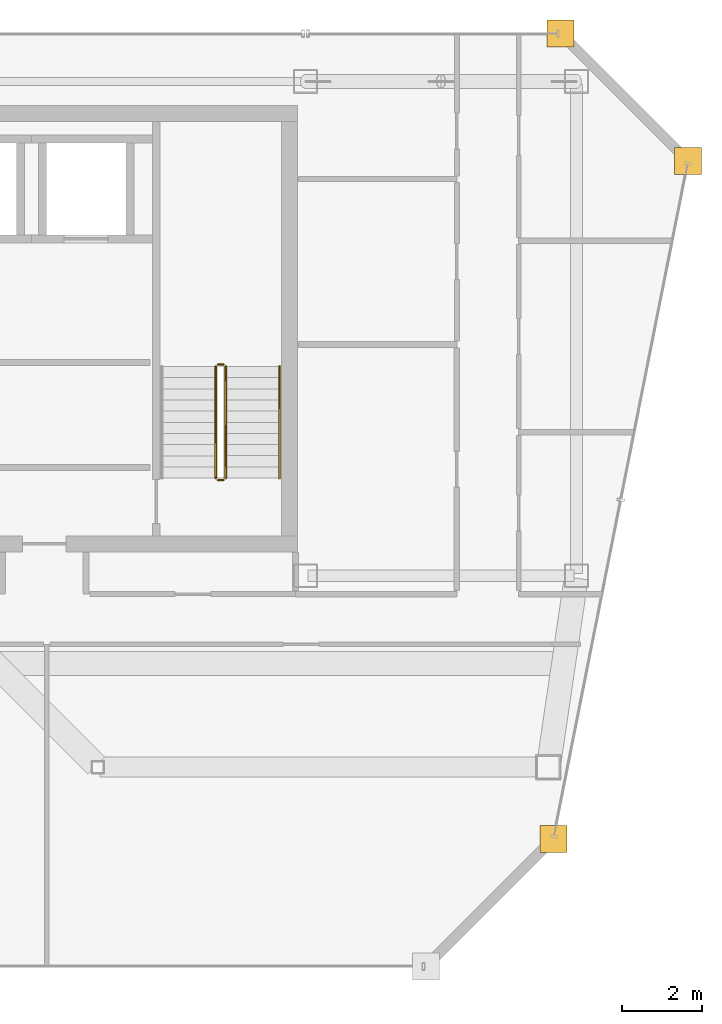
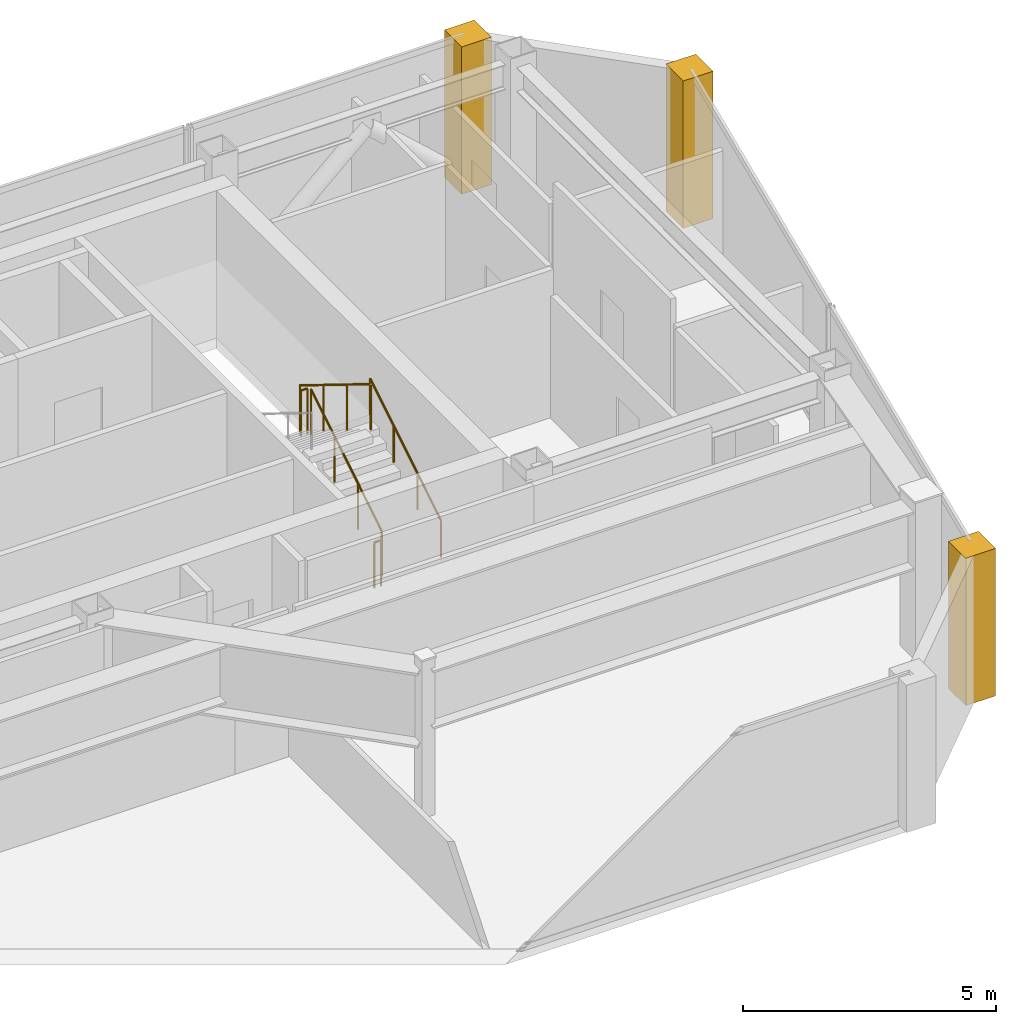
# One storey, part 24 of 24: 5 railings, 3 coverings.
"""IFC4 building model written with IfcOpenShell, lengths in metres."""

import ifcopenshell
import ifcopenshell.guid

model = None  # the IFC model being written
_history = None  # IfcOwnerHistory: only IFC2X3 demands one
_inside = {}  # id of a spatial element -> (the spatial element, [elements in it])
_under = {}  # id of a project, library or spatial element -> (it, [spatial elements below it])
_declared = {}  # id of a project -> (the project, [libraries it declares])
_typed = {}  # id of a type object -> (the type object, [elements of that type])
_made_of = {}  # id of a material, layer set ... -> (it, [elements and type objects made of it])


def new_model(schema):
    """Start an empty IFC model of exactly this schema.

    Asked for "IFC4X3", IfcOpenShell would pick the latest addendum, in which some entities
    have other attributes; the version numbers below select the first issue.
    IFC2X3 requires an IfcOwnerHistory on every rooted entity: one is made here for all.
    """
    global model, _history
    if schema == "IFC4X3":
        model = ifcopenshell.file(schema_version=(4, 3, 0, 0))
    else:
        model = ifcopenshell.file(schema=schema)
    _inside.clear()
    _under.clear()
    _declared.clear()
    _typed.clear()
    _made_of.clear()
    _history = None
    if model.schema == "IFC2X3":
        org = make("IfcOrganization", Name="unknown")
        user = make(
            "IfcPersonAndOrganization",
            ThePerson=make("IfcPerson", FamilyName="unknown"),
            TheOrganization=org,
        )
        app = make(
            "IfcApplication",
            ApplicationDeveloper=org,
            Version="unknown",
            ApplicationFullName="unknown",
            ApplicationIdentifier="unknown",
        )
        _history = make(
            "IfcOwnerHistory",
            OwningUser=user,
            OwningApplication=app,
            ChangeAction="ADDED",
            CreationDate=0,
        )
    return model


def make(cls, **values):
    """One entity of the class cls with the attributes given. An attribute that is None is left unset."""
    return model.create_entity(
        cls, **{name: value for name, value in values.items() if value is not None}
    )


def rooted(cls, **values):
    """An entity with a GlobalId (a new one), such as an element, a storey or a relation."""
    return make(cls, GlobalId=ifcopenshell.guid.new(), OwnerHistory=_history, **values)


def si_unit(unit_type, name, prefix=None):
    """IfcSIUnit, for example si_unit("LENGTHUNIT", "METRE", prefix="MILLI")."""
    return make("IfcSIUnit", UnitType=unit_type, Prefix=prefix, Name=name)


def assignment(units):
    """IfcUnitAssignment: the units of a project."""
    return None if units is None else make("IfcUnitAssignment", Units=units)


def point(xyz):
    """IfcCartesianPoint."""
    return None if xyz is None else make("IfcCartesianPoint", Coordinates=xyz)


def direction(xyz):
    """IfcDirection."""
    return None if xyz is None else make("IfcDirection", DirectionRatios=xyz)


def frame(location, z_axis=None, x_axis=None):
    """IfcAxis2Placement3D, a coordinate frame: its origin and axes. An axis left out is left unset."""
    return make(
        "IfcAxis2Placement3D",
        Location=point(location),
        Axis=direction(z_axis),
        RefDirection=direction(x_axis),
    )


def frame_2d(location, x_axis=None):
    """IfcAxis2Placement2D, a coordinate frame in the plane: its origin and x axis."""
    return make(
        "IfcAxis2Placement2D", Location=point(location), RefDirection=direction(x_axis)
    )


def origin():
    """The frame at (0, 0, 0) with its axes left unset."""
    return frame((0.0, 0.0, 0.0))


def origin_2d():
    """The frame at (0, 0) in the plane with its x axis left unset."""
    return frame_2d((0.0, 0.0))


def place(relative_to, where):
    """IfcLocalPlacement: puts the frame where relative to a parent placement (None: the world)."""
    return make(
        "IfcLocalPlacement", PlacementRelTo=relative_to, RelativePlacement=where
    )


def context(
    kind, dimensions, precision=None, world=None, true_north=None, identifier=None
):
    """IfcGeometricRepresentationContext, for example the 3D "Model" context."""
    return make(
        "IfcGeometricRepresentationContext",
        ContextIdentifier=identifier,
        ContextType=kind,
        CoordinateSpaceDimension=dimensions,
        Precision=precision,
        WorldCoordinateSystem=world,
        TrueNorth=true_north,
    )


def subcontext(parent, identifier, kind, view, scale=None):
    """IfcGeometricRepresentationSubContext, for example "Body" below "Model"."""
    return make(
        "IfcGeometricRepresentationSubContext",
        ContextIdentifier=identifier,
        ContextType=kind,
        ParentContext=parent,
        TargetScale=scale,
        TargetView=view,
    )


def project(units=None, contexts=None):
    """IfcProject with its units and contexts."""
    return rooted(
        "IfcProject",
        Name="project",
        RepresentationContexts=contexts,
        UnitsInContext=assignment(units),
    )


def spatial(cls, under=None, at=None, **own):
    """A site, building, storey or space (cls), placed at a placement, below another one or the project."""
    s = rooted(cls, ObjectPlacement=at, **own)
    if under is not None:
        _under.setdefault(under.id(), (under, []))[1].append(s)
    return s


def polyline(points):
    """IfcPolyline through the points."""
    return make("IfcPolyline", Points=[point(p) for p in points])


def profile(cls, at=None, kind="AREA", **sizes):
    """A parametric profile (cls). Its sizes go by their IFC names, for example OverallWidth=200.0."""
    return make(cls, ProfileType=kind, Position=at, **sizes)


def circle(**sizes):
    """IfcCircleProfileDef."""
    return profile("IfcCircleProfileDef", **sizes)


def outline(outer, holes=None, kind="AREA"):
    """IfcArbitraryClosedProfileDef: a profile drawn as a closed curve; with holes, ...WithVoids."""
    if holes is None:
        return make("IfcArbitraryClosedProfileDef", ProfileType=kind, OuterCurve=outer)
    return make(
        "IfcArbitraryProfileDefWithVoids",
        ProfileType=kind,
        OuterCurve=outer,
        InnerCurves=holes,
    )


def extrude(swept, where, along, depth):
    """IfcExtrudedAreaSolid: the profile swept, set in the frame where, extruded along a direction by depth."""
    return make(
        "IfcExtrudedAreaSolid",
        SweptArea=swept,
        Position=where,
        ExtrudedDirection=direction(along),
        Depth=depth,
    )


def shape(context_of_items, identifier, shape_type, items):
    """IfcShapeRepresentation: the items that make up one representation, for example the "Body"."""
    return make(
        "IfcShapeRepresentation",
        ContextOfItems=context_of_items,
        RepresentationIdentifier=identifier,
        RepresentationType=shape_type,
        Items=items,
    )


def material(Name=None, Category=None):
    """IfcMaterial."""
    return make("IfcMaterial", Name=Name, Category=Category)


def layer(
    of_material, thickness, ventilated=None, Name=None, Category=None, Priority=None
):
    """IfcMaterialLayer: one layer of a wall or slab, of a material (None: an air gap)."""
    return make(
        "IfcMaterialLayer",
        Material=of_material,
        LayerThickness=thickness,
        IsVentilated=ventilated,
        Name=Name,
        Category=Category,
        Priority=Priority,
    )


def layer_set(layers, Name=None):
    """IfcMaterialLayerSet."""
    return make("IfcMaterialLayerSet", MaterialLayers=layers, LayerSetName=Name)


def made_of(thing, what):
    """Note that an element or type object is made of a material, layer set ...; save() writes the relation."""
    if what is not None:
        _made_of.setdefault(what.id(), (what, []))[1].append(thing)
    return thing


def type_object(cls, material=None, **own):
    """A type object (cls), such as IfcWallType, which elements share."""
    return made_of(rooted(cls, **own), material)


def element(
    cls,
    number,
    at=None,
    inside=None,
    cuts=None,
    type_object=None,
    material=None,
    context=None,
    identifier="Body",
    shape_type=None,
    held_by="IfcProductDefinitionShape",
    body=None,
    shapes=None,
    **own,
):
    """One element of the class cls, such as IfcWall. Its Tag is "e" and its number.

    at: its placement. inside: the storey or other place that contains it. cuts: it is an
    opening in that element (IfcRelVoidsElement). A single representation is given by context,
    identifier, shape_type and body (its items); several are given by shapes. held_by: the class
    of the entity that holds the representations. save() writes the other relations.
    """
    e = rooted(cls, Tag="e%d" % number, ObjectPlacement=at, **own)
    if body is not None:
        shapes = [shape(context, identifier, shape_type, body)]
    if shapes is not None:
        e.Representation = make(held_by, Representations=shapes)
    if inside is not None:
        _inside.setdefault(inside.id(), (inside, []))[1].append(e)
    if cuts is not None:
        rooted(
            "IfcRelVoidsElement", RelatingBuildingElement=cuts, RelatedOpeningElement=e
        )
    if type_object is not None:
        _typed.setdefault(type_object.id(), (type_object, []))[1].append(e)
    return made_of(e, material)


def aggregate(whole, parts):
    """IfcRelAggregates: a whole, such as a stair, and the parts it consists of."""
    return rooted("IfcRelAggregates", RelatingObject=whole, RelatedObjects=parts)


def save(model, path):
    """Write the relations noted so far, then the file.

    IfcRelAggregates (storeys below a building ...), IfcRelContainedInSpatialStructure (elements
    in a storey), IfcRelDefinesByType, IfcRelAssociatesMaterial and IfcRelDeclares: one each for
    every whole, place, type object, material and project.
    """
    for whole, parts in _under.values():
        aggregate(whole, parts)
    for where, things in _inside.values():
        rooted(
            "IfcRelContainedInSpatialStructure",
            RelatedElements=things,
            RelatingStructure=where,
        )
    for kind, things in _typed.values():
        rooted("IfcRelDefinesByType", RelatedObjects=things, RelatingType=kind)
    for what, things in _made_of.values():
        rooted("IfcRelAssociatesMaterial", RelatedObjects=things, RelatingMaterial=what)
    for by, libraries in _declared.values():
        rooted("IfcRelDeclares", RelatingContext=by, RelatedDefinitions=libraries)
    model.write(path)


model = new_model("IFC4")

# Units and contexts
model_context = context("Model", 3, precision=1e-05, world=origin(), true_north=direction((0.0, 1.0)))
body_context = subcontext(model_context, "Body", "Model", "MODEL_VIEW")
ifc_project = project(units=[si_unit("LENGTHUNIT", "METRE"), si_unit("AREAUNIT", "SQUARE_METRE"), si_unit("VOLUMEUNIT", "CUBIC_METRE"), si_unit("PLANEANGLEUNIT", "RADIAN"), si_unit("MASSUNIT", "GRAM", prefix="KILO")], contexts=[model_context])

# Site, building, storey
site_placement = place(None, origin())
site = spatial("IfcSite", under=ifc_project, at=site_placement, CompositionType="ELEMENT")
building_placement = place(site_placement, origin())
building = spatial("IfcBuilding", under=site, at=building_placement, Name="Saevonmaru Cultural Tower", CompositionType="ELEMENT")
storey_placement = place(building_placement, frame((0.0, 0.0, 306.60009765625)))
storey = spatial("IfcBuildingStorey", under=building, at=storey_placement, Name="L73", CompositionType="ELEMENT", Elevation=306.60009765625)

# Coverings
ifc_material_1 = material(Name="Satin Bronze Anodised Aluminium", Category="aluminium")
ifc_layer = layer(ifc_material_1, 0.679931640625, Name="Satin Bronze Anodised Aluminium")
ifc_layer_set = layer_set([ifc_layer], Name="Satin Bronze Anodised Aluminium")
covering_type = type_object("IfcCoveringType", Name="CV-CORNER-CLAD", PredefinedType="CLADDING", material=ifc_layer_set)
covering_1_placement = place(storey_placement, origin())
element("IfcCovering", 1, at=covering_1_placement, inside=storey, type_object=covering_type, Name="L73 Tower Bronze Corner Cladding Pier 8", PredefinedType="CLADDING", context=body_context, shape_type="SweptSolid", body=[
    extrude(outline(polyline([(52.280029296875, 35.4599609375), (52.9599609375, 35.4599609375), (52.9599609375, 36.139892578125), (52.280029296875, 36.139892578125), (52.280029296875, 35.4599609375)])), origin(), (0.0, 0.0, 1.0), 3.5498046875),
])
covering_2_placement = place(storey_placement, origin())
element("IfcCovering", 2, at=covering_2_placement, inside=storey, type_object=covering_type, Name="L73 Tower Bronze Corner Cladding Pier 9", PredefinedType="CLADDING", context=body_context, shape_type="SweptSolid", body=[
    extrude(outline(polyline([(55.659912109375, 52.4599609375), (56.340087890625, 52.4599609375), (56.340087890625, 53.139892578125), (55.659912109375, 53.139892578125), (55.659912109375, 52.4599609375)])), origin(), (0.0, 0.0, 1.0), 3.5498046875),
])
covering_3_placement = place(storey_placement, origin())
element("IfcCovering", 3, at=covering_3_placement, inside=storey, type_object=covering_type, Name="L73 Tower Bronze Corner Cladding Pier 10", PredefinedType="CLADDING", context=body_context, shape_type="SweptSolid", body=[
    extrude(outline(polyline([(52.4599609375, 55.659912109375), (53.139892578125, 55.659912109375), (53.139892578125, 56.340087890625), (52.4599609375, 56.340087890625), (52.4599609375, 55.659912109375)])), origin(), (0.0, 0.0, 1.0), 3.5498046875),
])

# Railings
ifc_material_2 = material(Name="Architectural Painted Steel", Category="steel")
railing_type_1 = type_object("IfcRailingType", Name="RL-STAIR-GUARD", PredefinedType="GUARDRAIL", material=ifc_material_2)
railing_1_placement = place(storey_placement, frame((44.39990234375, 44.85009765625, 0.172607421875)))
element("IfcRailing", 4, at=railing_1_placement, inside=storey, type_object=railing_type_1, Name="L73 ST-2 stair guard 1", PredefinedType="GUARDRAIL", context=body_context, shape_type="SweptSolid", body=[
    extrude(circle(Radius=0.02392578125, at=origin_2d()), frame((0.0, 0.0, 1.09619140625), z_axis=(0.0, 0.851069175582, 0.525053576669), x_axis=(-1.0, 0.0, 0.0)), (0.0, 0.0, 1.0), 3.289794921875),
    extrude(circle(Radius=0.02099609375, at=origin_2d()), origin(), (0.0, 0.0, 1.0), 1.072021484375),
    extrude(circle(Radius=0.02099609375, at=origin_2d()), frame((0.0, 0.933349609375, 0.57568359375)), (0.0, 0.0, 1.0), 1.072021484375),
    extrude(circle(Radius=0.02099609375, at=origin_2d()), frame((0.0, 1.866455078125, 1.151611328125)), (0.0, 0.0, 1.0), 1.072021484375),
    extrude(circle(Radius=0.02099609375, at=origin_2d()), frame((0.0, 2.7998046875, 1.727294921875)), (0.0, 0.0, 1.0), 1.072021484375),
])
railing_2_placement = place(storey_placement, frame((44.35009765625, 47.699951171875, 1.89990234375)))
element("IfcRailing", 5, at=railing_2_placement, inside=storey, type_object=railing_type_1, Name="L73 ST-2 stair guard 2", PredefinedType="GUARDRAIL", context=body_context, shape_type="SweptSolid", body=[
    extrude(circle(Radius=0.02392578125, at=origin_2d()), frame((0.0, 0.0, 1.09619140625), z_axis=(-1.0, 0.0, 0.0), x_axis=(0.0, -1.0, 0.0)), (0.0, 0.0, 1.0), 0.150146484375),
    extrude(circle(Radius=0.02099609375, at=origin_2d()), origin(), (0.0, 0.0, 1.0), 1.072021484375),
    extrude(circle(Radius=0.02099609375, at=origin_2d()), frame((-0.150146484375, 0.0, 0.0)), (0.0, 0.0, 1.0), 1.072021484375),
])
railing_3_placement = place(storey_placement, frame((44.14990234375, 47.64990234375, 2.072509765625)))
element("IfcRailing", 6, at=railing_3_placement, inside=storey, type_object=railing_type_1, Name="L73 ST-2 stair guard 3", PredefinedType="GUARDRAIL", context=body_context, shape_type="SweptSolid", body=[
    extrude(circle(Radius=0.02392578125, at=origin_2d()), frame((0.0, 0.0, 1.09619140625), z_axis=(0.0, -0.851069175582, 0.525053576669), x_axis=(1.0, 0.0, 0.0)), (0.0, 0.0, 1.0), 3.289794921875),
    extrude(circle(Radius=0.02099609375, at=origin_2d()), origin(), (0.0, 0.0, 1.0), 1.072021484375),
    extrude(circle(Radius=0.02099609375, at=origin_2d()), frame((0.0, -0.933349609375, 0.57568359375)), (0.0, 0.0, 1.0), 1.072021484375),
    extrude(circle(Radius=0.02099609375, at=origin_2d()), frame((0.0, -1.866455078125, 1.151611328125)), (0.0, 0.0, 1.0), 1.072021484375),
    extrude(circle(Radius=0.02099609375, at=origin_2d()), frame((0.0, -2.7998046875, 1.727294921875)), (0.0, 0.0, 1.0), 1.072021484375),
])
railing_4_placement = place(storey_placement, frame((44.35009765625, 44.800048828125, 0.0)))
element("IfcRailing", 7, at=railing_4_placement, inside=storey, type_object=railing_type_1, Name="L73 ST-2 stair guard 4", PredefinedType="GUARDRAIL", context=body_context, shape_type="SweptSolid", body=[
    extrude(circle(Radius=0.02392578125, at=origin_2d()), frame((0.0, 0.0, 1.09619140625), z_axis=(-1.0, 0.0, 0.0), x_axis=(0.0, -1.0, 0.0)), (0.0, 0.0, 1.0), 0.150146484375),
    extrude(circle(Radius=0.02099609375, at=origin_2d()), origin(), (0.0, 0.0, 1.0), 1.072021484375),
    extrude(circle(Radius=0.02099609375, at=origin_2d()), frame((-0.150146484375, 0.0, 0.0)), (0.0, 0.0, 1.0), 1.072021484375),
])
railing_type_2 = type_object("IfcRailingType", Name="RL-STAIR-HANDRAIL", PredefinedType="HANDRAIL", material=ifc_material_1)
railing_5_placement = place(storey_placement, frame((45.75, 44.85009765625, 0.172607421875)))
element("IfcRailing", 8, at=railing_5_placement, inside=storey, type_object=railing_type_2, Name="L73 ST-2 stair handrail 1", PredefinedType="HANDRAIL", context=body_context, shape_type="SweptSolid", body=[
    extrude(circle(Radius=0.02392578125, at=origin_2d()), frame((0.0, 0.0, 0.8759765625), z_axis=(0.0, 0.851069175582, 0.525053576669), x_axis=(-1.0, 0.0, 0.0)), (0.0, 0.0, 1.0), 3.289794921875),
    extrude(circle(Radius=0.02099609375, at=origin_2d()), origin(), (0.0, 0.0, 1.0), 0.851806640625),
    extrude(circle(Radius=0.02099609375, at=origin_2d()), frame((0.0, 0.933349609375, 0.57568359375)), (0.0, 0.0, 1.0), 0.851806640625),
    extrude(circle(Radius=0.02099609375, at=origin_2d()), frame((0.0, 1.866455078125, 1.151611328125)), (0.0, 0.0, 1.0), 0.851806640625),
    extrude(circle(Radius=0.02099609375, at=origin_2d()), frame((0.0, 2.7998046875, 1.727294921875)), (0.0, 0.0, 1.0), 0.851806640625),
])

save(model, "model.ifc")
